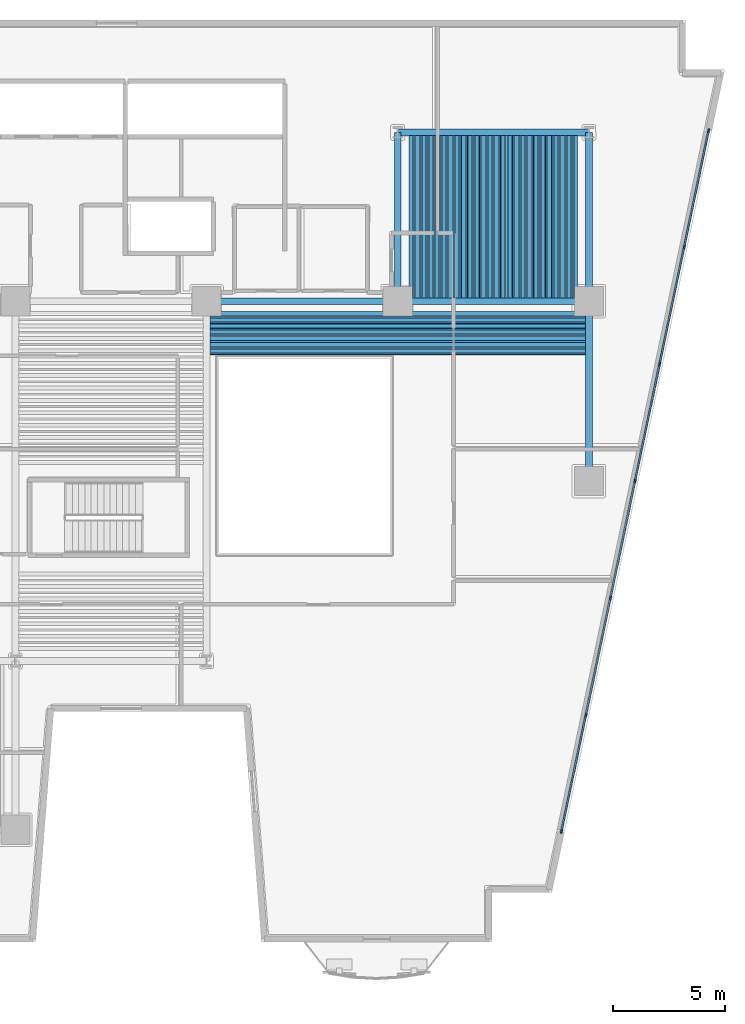
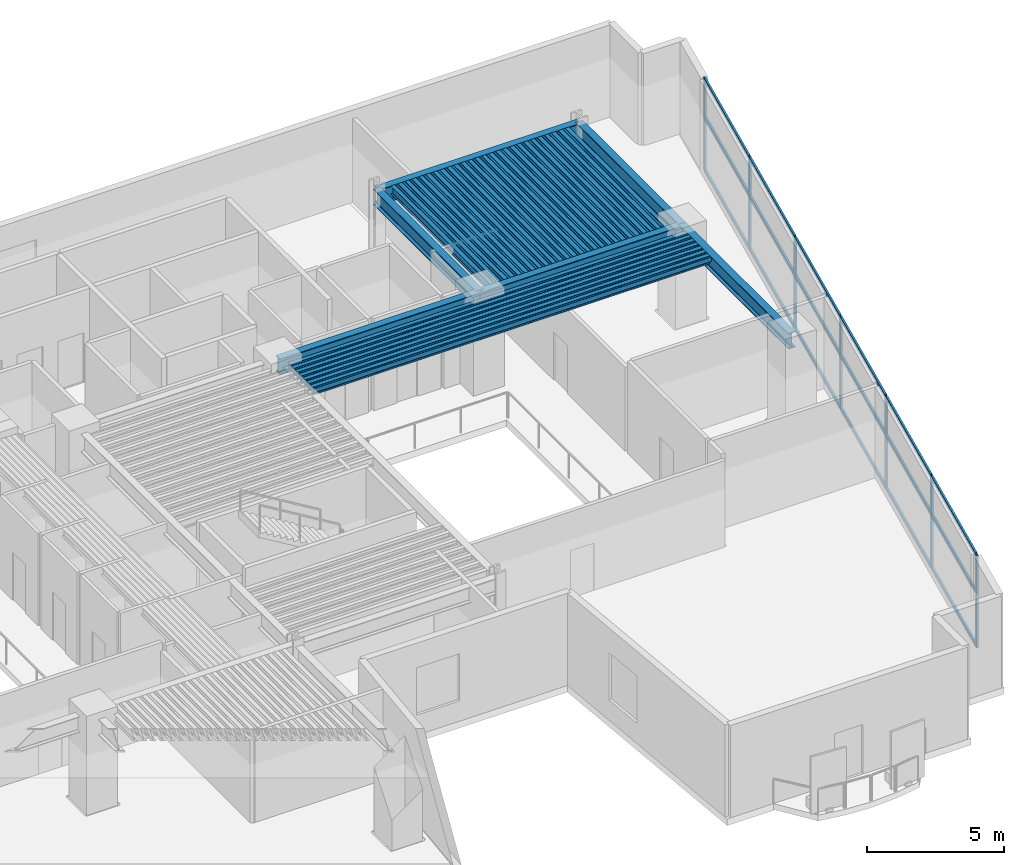
# One storey, part 2 of 12: 71 beams, 25 members, 1 element without a shape of its own.
"""IFC4 building model written with IfcOpenShell, lengths in metres."""

import ifcopenshell
import ifcopenshell.guid

model = None  # the IFC model being written
_history = None  # IfcOwnerHistory: only IFC2X3 demands one
_inside = {}  # id of a spatial element -> (the spatial element, [elements in it])
_under = {}  # id of a project, library or spatial element -> (it, [spatial elements below it])
_declared = {}  # id of a project -> (the project, [libraries it declares])
_typed = {}  # id of a type object -> (the type object, [elements of that type])
_made_of = {}  # id of a material, layer set ... -> (it, [elements and type objects made of it])


def new_model(schema):
    """Start an empty IFC model of exactly this schema.

    Asked for "IFC4X3", IfcOpenShell would pick the latest addendum, in which some entities
    have other attributes; the version numbers below select the first issue.
    IFC2X3 requires an IfcOwnerHistory on every rooted entity: one is made here for all.
    """
    global model, _history
    if schema == "IFC4X3":
        model = ifcopenshell.file(schema_version=(4, 3, 0, 0))
    else:
        model = ifcopenshell.file(schema=schema)
    _inside.clear()
    _under.clear()
    _declared.clear()
    _typed.clear()
    _made_of.clear()
    _history = None
    if model.schema == "IFC2X3":
        org = make("IfcOrganization", Name="unknown")
        user = make(
            "IfcPersonAndOrganization",
            ThePerson=make("IfcPerson", FamilyName="unknown"),
            TheOrganization=org,
        )
        app = make(
            "IfcApplication",
            ApplicationDeveloper=org,
            Version="unknown",
            ApplicationFullName="unknown",
            ApplicationIdentifier="unknown",
        )
        _history = make(
            "IfcOwnerHistory",
            OwningUser=user,
            OwningApplication=app,
            ChangeAction="ADDED",
            CreationDate=0,
        )
    return model


def make(cls, **values):
    """One entity of the class cls with the attributes given. An attribute that is None is left unset."""
    return model.create_entity(
        cls, **{name: value for name, value in values.items() if value is not None}
    )


def rooted(cls, **values):
    """An entity with a GlobalId (a new one), such as an element, a storey or a relation."""
    return make(cls, GlobalId=ifcopenshell.guid.new(), OwnerHistory=_history, **values)


def si_unit(unit_type, name, prefix=None):
    """IfcSIUnit, for example si_unit("LENGTHUNIT", "METRE", prefix="MILLI")."""
    return make("IfcSIUnit", UnitType=unit_type, Prefix=prefix, Name=name)


def assignment(units):
    """IfcUnitAssignment: the units of a project."""
    return None if units is None else make("IfcUnitAssignment", Units=units)


def point(xyz):
    """IfcCartesianPoint."""
    return None if xyz is None else make("IfcCartesianPoint", Coordinates=xyz)


def direction(xyz):
    """IfcDirection."""
    return None if xyz is None else make("IfcDirection", DirectionRatios=xyz)


def frame(location, z_axis=None, x_axis=None):
    """IfcAxis2Placement3D, a coordinate frame: its origin and axes. An axis left out is left unset."""
    return make(
        "IfcAxis2Placement3D",
        Location=point(location),
        Axis=direction(z_axis),
        RefDirection=direction(x_axis),
    )


def frame_2d(location, x_axis=None):
    """IfcAxis2Placement2D, a coordinate frame in the plane: its origin and x axis."""
    return make(
        "IfcAxis2Placement2D", Location=point(location), RefDirection=direction(x_axis)
    )


def origin():
    """The frame at (0, 0, 0) with its axes left unset."""
    return frame((0.0, 0.0, 0.0))


def origin_2d():
    """The frame at (0, 0) in the plane with its x axis left unset."""
    return frame_2d((0.0, 0.0))


def place(relative_to, where):
    """IfcLocalPlacement: puts the frame where relative to a parent placement (None: the world)."""
    return make(
        "IfcLocalPlacement", PlacementRelTo=relative_to, RelativePlacement=where
    )


def context(
    kind, dimensions, precision=None, world=None, true_north=None, identifier=None
):
    """IfcGeometricRepresentationContext, for example the 3D "Model" context."""
    return make(
        "IfcGeometricRepresentationContext",
        ContextIdentifier=identifier,
        ContextType=kind,
        CoordinateSpaceDimension=dimensions,
        Precision=precision,
        WorldCoordinateSystem=world,
        TrueNorth=true_north,
    )


def subcontext(parent, identifier, kind, view, scale=None):
    """IfcGeometricRepresentationSubContext, for example "Body" below "Model"."""
    return make(
        "IfcGeometricRepresentationSubContext",
        ContextIdentifier=identifier,
        ContextType=kind,
        ParentContext=parent,
        TargetScale=scale,
        TargetView=view,
    )


def project(units=None, contexts=None):
    """IfcProject with its units and contexts."""
    return rooted(
        "IfcProject",
        Name="project",
        RepresentationContexts=contexts,
        UnitsInContext=assignment(units),
    )


def spatial(cls, under=None, at=None, **own):
    """A site, building, storey or space (cls), placed at a placement, below another one or the project."""
    s = rooted(cls, ObjectPlacement=at, **own)
    if under is not None:
        _under.setdefault(under.id(), (under, []))[1].append(s)
    return s


def profile(cls, at=None, kind="AREA", **sizes):
    """A parametric profile (cls). Its sizes go by their IFC names, for example OverallWidth=200.0."""
    return make(cls, ProfileType=kind, Position=at, **sizes)


def rectangle(**sizes):
    """IfcRectangleProfileDef."""
    return profile("IfcRectangleProfileDef", **sizes)


def hollow_rectangle(**sizes):
    """IfcRectangleHollowProfileDef."""
    return profile("IfcRectangleHollowProfileDef", **sizes)


def i_section(**sizes):
    """IfcIShapeProfileDef."""
    return profile("IfcIShapeProfileDef", **sizes)


def extrude(swept, where, along, depth):
    """IfcExtrudedAreaSolid: the profile swept, set in the frame where, extruded along a direction by depth."""
    return make(
        "IfcExtrudedAreaSolid",
        SweptArea=swept,
        Position=where,
        ExtrudedDirection=direction(along),
        Depth=depth,
    )


def shape(context_of_items, identifier, shape_type, items):
    """IfcShapeRepresentation: the items that make up one representation, for example the "Body"."""
    return make(
        "IfcShapeRepresentation",
        ContextOfItems=context_of_items,
        RepresentationIdentifier=identifier,
        RepresentationType=shape_type,
        Items=items,
    )


def material(Name=None, Category=None):
    """IfcMaterial."""
    return make("IfcMaterial", Name=Name, Category=Category)


def layer(
    of_material, thickness, ventilated=None, Name=None, Category=None, Priority=None
):
    """IfcMaterialLayer: one layer of a wall or slab, of a material (None: an air gap)."""
    return make(
        "IfcMaterialLayer",
        Material=of_material,
        LayerThickness=thickness,
        IsVentilated=ventilated,
        Name=Name,
        Category=Category,
        Priority=Priority,
    )


def layer_set(layers, Name=None):
    """IfcMaterialLayerSet."""
    return make("IfcMaterialLayerSet", MaterialLayers=layers, LayerSetName=Name)


def material_profile(
    of_material, cross_section, Name=None, Category=None, Priority=None
):
    """IfcMaterialProfile: a cross section and its material."""
    return make(
        "IfcMaterialProfile",
        Name=Name,
        Material=of_material,
        Profile=cross_section,
        Priority=Priority,
        Category=Category,
    )


def profile_set(profiles, Name=None, composite=None):
    """IfcMaterialProfileSet."""
    return make(
        "IfcMaterialProfileSet",
        Name=Name,
        MaterialProfiles=profiles,
        CompositeProfile=composite,
    )


def made_of(thing, what):
    """Note that an element or type object is made of a material, layer set ...; save() writes the relation."""
    if what is not None:
        _made_of.setdefault(what.id(), (what, []))[1].append(thing)
    return thing


def type_object(cls, material=None, **own):
    """A type object (cls), such as IfcWallType, which elements share."""
    return made_of(rooted(cls, **own), material)


def element(
    cls,
    number,
    at=None,
    inside=None,
    cuts=None,
    type_object=None,
    material=None,
    context=None,
    identifier="Body",
    shape_type=None,
    held_by="IfcProductDefinitionShape",
    body=None,
    shapes=None,
    **own,
):
    """One element of the class cls, such as IfcWall. Its Tag is "e" and its number.

    at: its placement. inside: the storey or other place that contains it. cuts: it is an
    opening in that element (IfcRelVoidsElement). A single representation is given by context,
    identifier, shape_type and body (its items); several are given by shapes. held_by: the class
    of the entity that holds the representations. save() writes the other relations.
    """
    e = rooted(cls, Tag="e%d" % number, ObjectPlacement=at, **own)
    if body is not None:
        shapes = [shape(context, identifier, shape_type, body)]
    if shapes is not None:
        e.Representation = make(held_by, Representations=shapes)
    if inside is not None:
        _inside.setdefault(inside.id(), (inside, []))[1].append(e)
    if cuts is not None:
        rooted(
            "IfcRelVoidsElement", RelatingBuildingElement=cuts, RelatedOpeningElement=e
        )
    if type_object is not None:
        _typed.setdefault(type_object.id(), (type_object, []))[1].append(e)
    return made_of(e, material)


def aggregate(whole, parts):
    """IfcRelAggregates: a whole, such as a stair, and the parts it consists of."""
    return rooted("IfcRelAggregates", RelatingObject=whole, RelatedObjects=parts)


def save(model, path):
    """Write the relations noted so far, then the file.

    IfcRelAggregates (storeys below a building ...), IfcRelContainedInSpatialStructure (elements
    in a storey), IfcRelDefinesByType, IfcRelAssociatesMaterial and IfcRelDeclares: one each for
    every whole, place, type object, material and project.
    """
    for whole, parts in _under.values():
        aggregate(whole, parts)
    for where, things in _inside.values():
        rooted(
            "IfcRelContainedInSpatialStructure",
            RelatedElements=things,
            RelatingStructure=where,
        )
    for kind, things in _typed.values():
        rooted("IfcRelDefinesByType", RelatedObjects=things, RelatingType=kind)
    for what, things in _made_of.values():
        rooted("IfcRelAssociatesMaterial", RelatedObjects=things, RelatingMaterial=what)
    for by, libraries in _declared.values():
        rooted("IfcRelDeclares", RelatingContext=by, RelatedDefinitions=libraries)
    model.write(path)


model = new_model("IFC4")

# Units and contexts
model_context = context("Model", 3, precision=1e-05, world=origin(), true_north=direction((0.0, 1.0)))
body_context = subcontext(model_context, "Body", "Model", "MODEL_VIEW")
ifc_project = project(units=[si_unit("LENGTHUNIT", "METRE"), si_unit("AREAUNIT", "SQUARE_METRE"), si_unit("VOLUMEUNIT", "CUBIC_METRE"), si_unit("PLANEANGLEUNIT", "RADIAN"), si_unit("MASSUNIT", "GRAM", prefix="KILO")], contexts=[model_context])

# Site, building, storey
site_placement = place(None, origin())
site = spatial("IfcSite", under=ifc_project, at=site_placement, CompositionType="ELEMENT")
building_placement = place(site_placement, origin())
building = spatial("IfcBuilding", under=site, at=building_placement, Name="Caeloran Harvest Quay", CompositionType="ELEMENT")
storey_placement = place(building_placement, frame((0.0, 0.0, 71.0)))
storey = spatial("IfcBuildingStorey", under=building, at=storey_placement, Name="L16", CompositionType="ELEMENT", Elevation=71.0)

# Beams
ifc_material_1 = material(Name="Steel S355J2", Category="steel")
ifc_material_profile_1 = material_profile(ifc_material_1, i_section(OverallWidth=0.300048828125, OverallDepth=0.699951171875, WebThickness=0.01708984375, FlangeThickness=0.031982421875, FilletRadius=0.027099609375, at=origin_2d()), Name="HE 700 B")
ifc_profile_set_1 = profile_set([ifc_material_profile_1], Name="Steel S355J2")
beam_type_1 = type_object("IfcBeamType", Name="BM-PG-2-HE_700_B", PredefinedType="BEAM", material=ifc_profile_set_1)
for number, where, z_axis, x_axis, name in (
    (1, (34.0, 31.0, 3.75), (1.0, 0.0, 0.0), (0.0, 1.0, 0.0), "L16 Primary East-West Girder Y=31.0"),
    (2, (42.5, 31.0, 3.75), (1.0, 0.0, 0.0), (0.0, 1.0, 0.0), "L16 Primary East-West Girder Y=31.0"),
    (3, (42.5, 38.5, 3.75), (1.0, 0.0, 0.0), (0.0, 1.0, 0.0), "L16 Primary East-West Girder Y=38.5"),
):
    element("IfcBeam", number, at=place(storey_placement, frame(where, z_axis=z_axis, x_axis=x_axis)), inside=storey, type_object=beam_type_1, Name=name, PredefinedType="BEAM", context=body_context, shape_type="SweptSolid", body=[
        extrude(i_section(OverallWidth=0.300048828125, OverallDepth=0.699951171875, WebThickness=0.01708984375, FlangeThickness=0.031982421875, FilletRadius=0.027099609375, at=origin_2d()), origin(), (0.0, 0.0, 1.0), 8.5),
    ])
beam_1_placement = place(storey_placement, frame((42.5, 31.0, 3.75), z_axis=(0.0, 1.0, 0.0), x_axis=(-1.0, 0.0, 0.0)))
element("IfcBeam", 4, at=beam_1_placement, inside=storey, type_object=beam_type_1, Name="L16 Primary North-South Girder X=42.5", PredefinedType="BEAM", context=body_context, shape_type="SweptSolid", body=[
    extrude(i_section(OverallWidth=0.300048828125, OverallDepth=0.699951171875, WebThickness=0.01708984375, FlangeThickness=0.031982421875, FilletRadius=0.027099609375, at=origin_2d()), origin(), (0.0, 0.0, 1.0), 7.5),
])
beam_2_placement = place(storey_placement, frame((51.0, 23.0, 3.75), z_axis=(0.0, 1.0, 0.0), x_axis=(-1.0, 0.0, 0.0)))
element("IfcBeam", 5, at=beam_2_placement, inside=storey, type_object=beam_type_1, Name="L16 Primary North-South Girder X=51.0", PredefinedType="BEAM", context=body_context, shape_type="SweptSolid", body=[
    extrude(i_section(OverallWidth=0.300048828125, OverallDepth=0.699951171875, WebThickness=0.01708984375, FlangeThickness=0.031982421875, FilletRadius=0.027099609375, at=origin_2d()), origin(), (0.0, 0.0, 1.0), 8.0),
])
beam_3_placement = place(storey_placement, frame((51.0, 31.0, 3.75), z_axis=(0.0, 1.0, 0.0), x_axis=(-1.0, 0.0, 0.0)))
element("IfcBeam", 6, at=beam_3_placement, inside=storey, type_object=beam_type_1, Name="L16 Primary North-South Girder X=51.0", PredefinedType="BEAM", context=body_context, shape_type="SweptSolid", body=[
    extrude(i_section(OverallWidth=0.300048828125, OverallDepth=0.699951171875, WebThickness=0.01708984375, FlangeThickness=0.031982421875, FilletRadius=0.027099609375, at=origin_2d()), origin(), (0.0, 0.0, 1.0), 7.5),
])
ifc_material_profile_2 = material_profile(ifc_material_1, i_section(OverallWidth=0.169921875, OverallDepth=0.360107421875, WebThickness=0.008056640625, FlangeThickness=0.0126953125, FilletRadius=0.01806640625, at=origin_2d()), Name="IPE 360")
ifc_profile_set_2 = profile_set([ifc_material_profile_2], Name="Steel S355J2")
beam_type_2 = type_object("IfcBeamType", Name="BM-SB-5-IPE_360", PredefinedType="JOIST", material=ifc_profile_set_2)
for number, where, z_axis, x_axis, name in (
    (7, (43.086181640625, 31.14501953125, 3.919921875), (0.0, 1.0, 0.0), (-1.0, 0.0, 0.0), "L16 Secondary Composite Joist"),
    (8, (43.37939453125, 31.14501953125, 3.919921875), (0.0, 1.0, 0.0), (-1.0, 0.0, 0.0), "L16 Secondary Composite Joist"),
    (9, (43.67236328125, 31.14501953125, 3.919921875), (0.0, 1.0, 0.0), (-1.0, 0.0, 0.0), "L16 Secondary Composite Joist"),
    (10, (43.965576171875, 31.14501953125, 3.919921875), (0.0, 1.0, 0.0), (-1.0, 0.0, 0.0), "L16 Secondary Composite Joist"),
    (11, (44.258544921875, 31.14501953125, 3.919921875), (0.0, 1.0, 0.0), (-1.0, 0.0, 0.0), "L16 Secondary Composite Joist"),
    (12, (44.5517578125, 31.14501953125, 3.919921875), (0.0, 1.0, 0.0), (-1.0, 0.0, 0.0), "L16 Secondary Composite Joist"),
    (13, (44.8447265625, 31.14501953125, 3.919921875), (0.0, 1.0, 0.0), (-1.0, 0.0, 0.0), "L16 Secondary Composite Joist"),
    (14, (45.137939453125, 31.14501953125, 3.919921875), (0.0, 1.0, 0.0), (-1.0, 0.0, 0.0), "L16 Secondary Composite Joist"),
    (15, (45.430908203125, 31.14501953125, 3.919921875), (0.0, 1.0, 0.0), (-1.0, 0.0, 0.0), "L16 Secondary Composite Joist"),
    (16, (45.72412109375, 31.14501953125, 3.919921875), (0.0, 1.0, 0.0), (-1.0, 0.0, 0.0), "L16 Secondary Composite Joist"),
    (17, (46.01708984375, 31.14501953125, 3.919921875), (0.0, 1.0, 0.0), (-1.0, 0.0, 0.0), "L16 Secondary Composite Joist"),
    (18, (46.310302734375, 31.14501953125, 3.919921875), (0.0, 1.0, 0.0), (-1.0, 0.0, 0.0), "L16 Secondary Composite Joist"),
    (19, (46.603515625, 31.14501953125, 3.919921875), (0.0, 1.0, 0.0), (-1.0, 0.0, 0.0), "L16 Secondary Composite Joist"),
    (20, (46.896484375, 31.14501953125, 3.919921875), (0.0, 1.0, 0.0), (-1.0, 0.0, 0.0), "L16 Secondary Composite Joist"),
    (21, (47.189697265625, 31.14501953125, 3.919921875), (0.0, 1.0, 0.0), (-1.0, 0.0, 0.0), "L16 Secondary Composite Joist"),
    (22, (47.48291015625, 31.14501953125, 3.919921875), (0.0, 1.0, 0.0), (-1.0, 0.0, 0.0), "L16 Secondary Composite Joist"),
    (23, (47.77587890625, 31.14501953125, 3.919921875), (0.0, 1.0, 0.0), (-1.0, 0.0, 0.0), "L16 Secondary Composite Joist"),
    (24, (48.069091796875, 31.14501953125, 3.919921875), (0.0, 1.0, 0.0), (-1.0, 0.0, 0.0), "L16 Secondary Composite Joist"),
    (25, (48.362060546875, 31.14501953125, 3.919921875), (0.0, 1.0, 0.0), (-1.0, 0.0, 0.0), "L16 Secondary Composite Joist"),
    (26, (48.6552734375, 31.14501953125, 3.919921875), (0.0, 1.0, 0.0), (-1.0, 0.0, 0.0), "L16 Secondary Composite Joist"),
    (27, (48.9482421875, 31.14501953125, 3.919921875), (0.0, 1.0, 0.0), (-1.0, 0.0, 0.0), "L16 Secondary Composite Joist"),
    (28, (49.241455078125, 31.14501953125, 3.919921875), (0.0, 1.0, 0.0), (-1.0, 0.0, 0.0), "L16 Secondary Composite Joist"),
    (29, (49.534423828125, 31.14501953125, 3.919921875), (0.0, 1.0, 0.0), (-1.0, 0.0, 0.0), "L16 Secondary Composite Joist"),
    (30, (49.82763671875, 31.14501953125, 3.919921875), (0.0, 1.0, 0.0), (-1.0, 0.0, 0.0), "L16 Secondary Composite Joist"),
    (31, (50.12060546875, 31.14501953125, 3.919921875), (0.0, 1.0, 0.0), (-1.0, 0.0, 0.0), "L16 Secondary Composite Joist"),
    (32, (50.413818359375, 31.14501953125, 3.919921875), (0.0, 1.0, 0.0), (-1.0, 0.0, 0.0), "L16 Secondary Composite Joist"),
):
    element("IfcBeam", number, at=place(storey_placement, frame(where, z_axis=z_axis, x_axis=x_axis)), inside=storey, type_object=beam_type_2, Name=name, PredefinedType="JOIST", context=body_context, shape_type="SweptSolid", body=[
        extrude(i_section(OverallWidth=0.169921875, OverallDepth=0.360107421875, WebThickness=0.008056640625, FlangeThickness=0.0126953125, FilletRadius=0.01806640625, at=origin_2d()), origin(), (0.0, 0.0, 1.0), 7.2099609375),
    ])
for number, where, z_axis, x_axis, name in (
    (33, (34.14501953125, 28.793212890625, 3.919921875), (1.0, 0.0, 0.0), (0.0, 1.0, 0.0), "L16 Secondary East-West Composite Joist"),
    (34, (34.14501953125, 29.069091796875, 3.919921875), (1.0, 0.0, 0.0), (0.0, 1.0, 0.0), "L16 Secondary East-West Composite Joist"),
    (35, (34.14501953125, 29.3447265625, 3.919921875), (1.0, 0.0, 0.0), (0.0, 1.0, 0.0), "L16 Secondary East-West Composite Joist"),
    (36, (34.14501953125, 29.62060546875, 3.919921875), (1.0, 0.0, 0.0), (0.0, 1.0, 0.0), "L16 Secondary East-West Composite Joist"),
    (37, (34.14501953125, 29.896484375, 3.919921875), (1.0, 0.0, 0.0), (0.0, 1.0, 0.0), "L16 Secondary East-West Composite Joist"),
    (38, (34.14501953125, 30.17236328125, 3.919921875), (1.0, 0.0, 0.0), (0.0, 1.0, 0.0), "L16 Secondary East-West Composite Joist"),
    (39, (34.14501953125, 30.4482421875, 3.919921875), (1.0, 0.0, 0.0), (0.0, 1.0, 0.0), "L16 Secondary East-West Composite Joist"),
):
    element("IfcBeam", number, at=place(storey_placement, frame(where, z_axis=z_axis, x_axis=x_axis)), inside=storey, type_object=beam_type_2, Name=name, PredefinedType="JOIST", context=body_context, shape_type="SweptSolid", body=[
        extrude(i_section(OverallWidth=0.169921875, OverallDepth=0.360107421875, WebThickness=0.008056640625, FlangeThickness=0.0126953125, FilletRadius=0.01806640625, at=origin_2d()), origin(), (0.0, 0.0, 1.0), 16.7099609375),
    ])
ifc_material_profile_3 = material_profile(ifc_material_1, hollow_rectangle(XDim=0.080078125, YDim=0.199951171875, WallThickness=0.006103515625, InnerFilletRadius=0.006103515625, OuterFilletRadius=0.009033203125, at=origin_2d()), Name="RHS 200x80x6")
ifc_profile_set_3 = profile_set([ifc_material_profile_3], Name="Steel S355J2")
beam_type_3 = type_object("IfcBeamType", Name="BM-SB-7-RHS_200x80x6", PredefinedType="JOIST", material=ifc_profile_set_3)
for number, where, z_axis, x_axis, name in (
    (40, (43.23291015625, 31.14501953125, 4.0), (0.0, 1.0, 0.0), (-1.0, 0.0, 0.0), "L16 Secondary Composite Joist"),
    (41, (43.52587890625, 31.14501953125, 4.0), (0.0, 1.0, 0.0), (-1.0, 0.0, 0.0), "L16 Secondary Composite Joist"),
    (42, (43.819091796875, 31.14501953125, 4.0), (0.0, 1.0, 0.0), (-1.0, 0.0, 0.0), "L16 Secondary Composite Joist"),
    (43, (44.112060546875, 31.14501953125, 4.0), (0.0, 1.0, 0.0), (-1.0, 0.0, 0.0), "L16 Secondary Composite Joist"),
    (44, (44.4052734375, 31.14501953125, 4.0), (0.0, 1.0, 0.0), (-1.0, 0.0, 0.0), "L16 Secondary Composite Joist"),
    (45, (44.6982421875, 31.14501953125, 4.0), (0.0, 1.0, 0.0), (-1.0, 0.0, 0.0), "L16 Secondary Composite Joist"),
    (46, (44.991455078125, 31.14501953125, 4.0), (0.0, 1.0, 0.0), (-1.0, 0.0, 0.0), "L16 Secondary Composite Joist"),
    (47, (45.284423828125, 31.14501953125, 4.0), (0.0, 1.0, 0.0), (-1.0, 0.0, 0.0), "L16 Secondary Composite Joist"),
    (48, (45.57763671875, 31.14501953125, 4.0), (0.0, 1.0, 0.0), (-1.0, 0.0, 0.0), "L16 Secondary Composite Joist"),
    (49, (45.87060546875, 31.14501953125, 4.0), (0.0, 1.0, 0.0), (-1.0, 0.0, 0.0), "L16 Secondary Composite Joist"),
    (50, (46.163818359375, 31.14501953125, 4.0), (0.0, 1.0, 0.0), (-1.0, 0.0, 0.0), "L16 Secondary Composite Joist"),
    (51, (46.456787109375, 31.14501953125, 4.0), (0.0, 1.0, 0.0), (-1.0, 0.0, 0.0), "L16 Secondary Composite Joist"),
    (52, (46.75, 31.14501953125, 4.0), (0.0, 1.0, 0.0), (-1.0, 0.0, 0.0), "L16 Secondary Composite Joist"),
    (53, (47.043212890625, 31.14501953125, 4.0), (0.0, 1.0, 0.0), (-1.0, 0.0, 0.0), "L16 Secondary Composite Joist"),
    (54, (47.336181640625, 31.14501953125, 4.0), (0.0, 1.0, 0.0), (-1.0, 0.0, 0.0), "L16 Secondary Composite Joist"),
    (55, (47.62939453125, 31.14501953125, 4.0), (0.0, 1.0, 0.0), (-1.0, 0.0, 0.0), "L16 Secondary Composite Joist"),
    (56, (47.92236328125, 31.14501953125, 4.0), (0.0, 1.0, 0.0), (-1.0, 0.0, 0.0), "L16 Secondary Composite Joist"),
    (57, (48.215576171875, 31.14501953125, 4.0), (0.0, 1.0, 0.0), (-1.0, 0.0, 0.0), "L16 Secondary Composite Joist"),
    (58, (48.508544921875, 31.14501953125, 4.0), (0.0, 1.0, 0.0), (-1.0, 0.0, 0.0), "L16 Secondary Composite Joist"),
    (59, (48.8017578125, 31.14501953125, 4.0), (0.0, 1.0, 0.0), (-1.0, 0.0, 0.0), "L16 Secondary Composite Joist"),
    (60, (49.0947265625, 31.14501953125, 4.0), (0.0, 1.0, 0.0), (-1.0, 0.0, 0.0), "L16 Secondary Composite Joist"),
    (61, (49.387939453125, 31.14501953125, 4.0), (0.0, 1.0, 0.0), (-1.0, 0.0, 0.0), "L16 Secondary Composite Joist"),
    (62, (49.680908203125, 31.14501953125, 4.0), (0.0, 1.0, 0.0), (-1.0, 0.0, 0.0), "L16 Secondary Composite Joist"),
    (63, (49.97412109375, 31.14501953125, 4.0), (0.0, 1.0, 0.0), (-1.0, 0.0, 0.0), "L16 Secondary Composite Joist"),
    (64, (50.26708984375, 31.14501953125, 4.0), (0.0, 1.0, 0.0), (-1.0, 0.0, 0.0), "L16 Secondary Composite Joist"),
):
    element("IfcBeam", number, at=place(storey_placement, frame(where, z_axis=z_axis, x_axis=x_axis)), inside=storey, type_object=beam_type_3, Name=name, PredefinedType="JOIST", context=body_context, shape_type="SweptSolid", body=[
        extrude(hollow_rectangle(XDim=0.080078125, YDim=0.199951171875, WallThickness=0.006103515625, InnerFilletRadius=0.006103515625, OuterFilletRadius=0.009033203125, at=origin_2d()), origin(), (0.0, 0.0, 1.0), 7.2099609375),
    ])
for number, where, z_axis, x_axis, name in (
    (65, (34.14501953125, 28.6552734375, 4.0), (1.0, 0.0, 0.0), (0.0, 1.0, 0.0), "L16 Secondary East-West Composite Joist"),
    (66, (34.14501953125, 28.930908203125, 4.0), (1.0, 0.0, 0.0), (0.0, 1.0, 0.0), "L16 Secondary East-West Composite Joist"),
    (67, (34.14501953125, 29.206787109375, 4.0), (1.0, 0.0, 0.0), (0.0, 1.0, 0.0), "L16 Secondary East-West Composite Joist"),
    (68, (34.14501953125, 29.48291015625, 4.0), (1.0, 0.0, 0.0), (0.0, 1.0, 0.0), "L16 Secondary East-West Composite Joist"),
    (69, (34.14501953125, 29.758544921875, 4.0), (1.0, 0.0, 0.0), (0.0, 1.0, 0.0), "L16 Secondary East-West Composite Joist"),
    (70, (34.14501953125, 30.034423828125, 4.0), (1.0, 0.0, 0.0), (0.0, 1.0, 0.0), "L16 Secondary East-West Composite Joist"),
    (71, (34.14501953125, 30.310302734375, 4.0), (1.0, 0.0, 0.0), (0.0, 1.0, 0.0), "L16 Secondary East-West Composite Joist"),
):
    element("IfcBeam", number, at=place(storey_placement, frame(where, z_axis=z_axis, x_axis=x_axis)), inside=storey, type_object=beam_type_3, Name=name, PredefinedType="JOIST", context=body_context, shape_type="SweptSolid", body=[
        extrude(hollow_rectangle(XDim=0.080078125, YDim=0.199951171875, WallThickness=0.006103515625, InnerFilletRadius=0.006103515625, OuterFilletRadius=0.009033203125, at=origin_2d()), origin(), (0.0, 0.0, 1.0), 16.7099609375),
    ])

# Curtain wall, members
ifc_material_2 = material(Name="Aluminium 6063-T6 and Low-E Glazing", Category="aluminium")
ifc_layer = layer(ifc_material_2, 0.199951171875, Name="Aluminium 6063-T6 and Low-E Glazing")
ifc_layer_set = layer_set([ifc_layer], Name="Aluminium 6063-T6 and Low-E Glazing")
curtain_wall_type = type_object("IfcCurtainWallType", Name="CW-SYS-CW-2", PredefinedType="USERDEFINED", material=ifc_layer_set)
curtain_wall_placement = place(storey_placement, origin())
curtain_wall = element("IfcCurtainWall", 72, at=curtain_wall_placement, inside=storey, type_object=curtain_wall_type, Name="L16 Unitised Curtain Wall CW-2 Run 9", ObjectType="CURTAIN_WALL", PredefinedType="USERDEFINED")
ifc_material_3 = material(Name="Aluminium 6063-T6", Category="aluminium")
ifc_material_profile_4 = material_profile(ifc_material_3, rectangle(XDim=0.080078125, YDim=0.179931640625, at=origin_2d()), Name="CW-MULLION-180")
ifc_profile_set_4 = profile_set([ifc_material_profile_4], Name="Aluminium 6063-T6")
member_type_1 = type_object("IfcMemberType", Name="CW-MULLION-180", PredefinedType="MULLION", material=ifc_profile_set_4)
member_1_placement = place(storey_placement, frame((56.322509765625, 38.576416015625, 0.0), z_axis=(0.0, 0.0, 1.0), x_axis=(0.978639691881, -0.205582960081, 0.0)))
member_1 = element("IfcMember", 73, at=member_1_placement, type_object=member_type_1, Name="CW-2 mullion 1", PredefinedType="MULLION", context=body_context, shape_type="SweptSolid", body=[
    extrude(rectangle(XDim=0.080078125, YDim=0.179931640625, at=origin_2d()), origin(), (0.0, 0.0, 1.0), 4.10009765625),
])
member_2_placement = place(storey_placement, frame((55.2373046875, 33.410400390625, 0.0), z_axis=(0.0, 0.0, 1.0), x_axis=(0.978639691881, -0.205582960081, 0.0)))
member_2 = element("IfcMember", 74, at=member_2_placement, type_object=member_type_1, Name="CW-2 mullion 2", PredefinedType="MULLION", context=body_context, shape_type="SweptSolid", body=[
    extrude(rectangle(XDim=0.080078125, YDim=0.179931640625, at=origin_2d()), origin(), (0.0, 0.0, 1.0), 4.10009765625),
])
member_3_placement = place(storey_placement, frame((54.143798828125, 28.205078125, 0.0), z_axis=(0.0, 0.0, 1.0), x_axis=(0.978639691881, -0.205582960081, 0.0)))
member_3 = element("IfcMember", 75, at=member_3_placement, type_object=member_type_1, Name="CW-2 mullion 3", PredefinedType="MULLION", context=body_context, shape_type="SweptSolid", body=[
    extrude(rectangle(XDim=0.080078125, YDim=0.179931640625, at=origin_2d()), origin(), (0.0, 0.0, 1.0), 4.10009765625),
])
member_4_placement = place(storey_placement, frame((53.050537109375, 23.0, 0.0), z_axis=(0.0, 0.0, 1.0), x_axis=(0.978639691881, -0.205582960081, 0.0)))
member_4 = element("IfcMember", 76, at=member_4_placement, type_object=member_type_1, Name="CW-2 mullion 4", PredefinedType="MULLION", context=body_context, shape_type="SweptSolid", body=[
    extrude(rectangle(XDim=0.080078125, YDim=0.179931640625, at=origin_2d()), origin(), (0.0, 0.0, 1.0), 4.10009765625),
])
member_5_placement = place(storey_placement, frame((51.95703125, 17.794921875, 0.0), z_axis=(0.0, 0.0, 1.0), x_axis=(0.978639691881, -0.205582960081, 0.0)))
member_5 = element("IfcMember", 77, at=member_5_placement, type_object=member_type_1, Name="CW-2 mullion 5", PredefinedType="MULLION", context=body_context, shape_type="SweptSolid", body=[
    extrude(rectangle(XDim=0.080078125, YDim=0.179931640625, at=origin_2d()), origin(), (0.0, 0.0, 1.0), 4.10009765625),
])
member_6_placement = place(storey_placement, frame((50.863525390625, 12.589599609375, 0.0), z_axis=(0.0, 0.0, 1.0), x_axis=(0.978639691881, -0.205582960081, 0.0)))
member_6 = element("IfcMember", 78, at=member_6_placement, type_object=member_type_1, Name="CW-2 mullion 6", PredefinedType="MULLION", context=body_context, shape_type="SweptSolid", body=[
    extrude(rectangle(XDim=0.080078125, YDim=0.179931640625, at=origin_2d()), origin(), (0.0, 0.0, 1.0), 4.10009765625),
])
member_7_placement = place(storey_placement, frame((49.7783203125, 7.423583984375, 0.0), z_axis=(0.0, 0.0, 1.0), x_axis=(0.978639691881, -0.205582960081, 0.0)))
member_7 = element("IfcMember", 79, at=member_7_placement, type_object=member_type_1, Name="CW-2 mullion 7", PredefinedType="MULLION", context=body_context, shape_type="SweptSolid", body=[
    extrude(rectangle(XDim=0.080078125, YDim=0.179931640625, at=origin_2d()), origin(), (0.0, 0.0, 1.0), 4.10009765625),
])
ifc_material_profile_5 = material_profile(ifc_material_3, rectangle(XDim=0.080078125, YDim=0.14990234375, at=origin_2d()), Name="CW-TRANSOM-150")
ifc_profile_set_5 = profile_set([ifc_material_profile_5], Name="Aluminium 6063-T6")
member_type_2 = type_object("IfcMemberType", Name="CW-TRANSOM-150", PredefinedType="USERDEFINED", material=ifc_profile_set_5)
member_8_placement = place(storey_placement, frame((56.314453125, 38.537109375, 0.0400390625), z_axis=(-0.205598644178, -0.978636396989, 0.0), x_axis=(0.978636396989, -0.205598644178, 0.0)))
member_8 = element("IfcMember", 80, at=member_8_placement, type_object=member_type_2, Name="CW-2 transom 1.1", ObjectType="TRANSOM", PredefinedType="USERDEFINED", context=body_context, shape_type="SweptSolid", body=[
    extrude(rectangle(XDim=0.080078125, YDim=0.14990234375, at=origin_2d()), origin(), (0.0, 0.0, 1.0), 5.19873046875),
])
member_9_placement = place(storey_placement, frame((56.314453125, 38.537109375, 2.39990234375), z_axis=(-0.205598644178, -0.978636396989, 0.0), x_axis=(0.978636396989, -0.205598644178, 0.0)))
member_9 = element("IfcMember", 81, at=member_9_placement, type_object=member_type_2, Name="CW-2 transom 1.2", ObjectType="TRANSOM", PredefinedType="USERDEFINED", context=body_context, shape_type="SweptSolid", body=[
    extrude(rectangle(XDim=0.080078125, YDim=0.14990234375, at=origin_2d()), origin(), (0.0, 0.0, 1.0), 5.19873046875),
])
member_10_placement = place(storey_placement, frame((56.314453125, 38.537109375, 4.06005859375), z_axis=(-0.205598644178, -0.978636396989, 0.0), x_axis=(0.978636396989, -0.205598644178, 0.0)))
member_10 = element("IfcMember", 82, at=member_10_placement, type_object=member_type_2, Name="CW-2 transom 1.3", ObjectType="TRANSOM", PredefinedType="USERDEFINED", context=body_context, shape_type="SweptSolid", body=[
    extrude(rectangle(XDim=0.080078125, YDim=0.14990234375, at=origin_2d()), origin(), (0.0, 0.0, 1.0), 5.19873046875),
])
member_11_placement = place(storey_placement, frame((55.229248046875, 33.37109375, 0.0400390625), z_axis=(-0.205615877389, -0.97863277636, 0.0), x_axis=(0.97863277636, -0.205615877389, 0.0)))
member_11 = element("IfcMember", 83, at=member_11_placement, type_object=member_type_2, Name="CW-2 transom 2.1", ObjectType="TRANSOM", PredefinedType="USERDEFINED", context=body_context, shape_type="SweptSolid", body=[
    extrude(rectangle(XDim=0.080078125, YDim=0.14990234375, at=origin_2d()), origin(), (0.0, 0.0, 1.0), 5.238525390625),
])
member_12_placement = place(storey_placement, frame((55.229248046875, 33.37109375, 2.39990234375), z_axis=(-0.205615877389, -0.97863277636, 0.0), x_axis=(0.97863277636, -0.205615877389, 0.0)))
member_12 = element("IfcMember", 84, at=member_12_placement, type_object=member_type_2, Name="CW-2 transom 2.2", ObjectType="TRANSOM", PredefinedType="USERDEFINED", context=body_context, shape_type="SweptSolid", body=[
    extrude(rectangle(XDim=0.080078125, YDim=0.14990234375, at=origin_2d()), origin(), (0.0, 0.0, 1.0), 5.238525390625),
])
member_13_placement = place(storey_placement, frame((55.229248046875, 33.37109375, 4.06005859375), z_axis=(-0.205615877389, -0.97863277636, 0.0), x_axis=(0.97863277636, -0.205615877389, 0.0)))
member_13 = element("IfcMember", 85, at=member_13_placement, type_object=member_type_2, Name="CW-2 transom 2.3", ObjectType="TRANSOM", PredefinedType="USERDEFINED", context=body_context, shape_type="SweptSolid", body=[
    extrude(rectangle(XDim=0.080078125, YDim=0.14990234375, at=origin_2d()), origin(), (0.0, 0.0, 1.0), 5.238525390625),
])
member_14_placement = place(storey_placement, frame((54.1357421875, 28.166015625, 0.0400390625), z_axis=(-0.205606500081, -0.978634746534, 0.0), x_axis=(0.978634746534, -0.205606500081, 0.0)))
member_14 = element("IfcMember", 86, at=member_14_placement, type_object=member_type_2, Name="CW-2 transom 3.1", ObjectType="TRANSOM", PredefinedType="USERDEFINED", context=body_context, shape_type="SweptSolid", body=[
    extrude(rectangle(XDim=0.080078125, YDim=0.14990234375, at=origin_2d()), origin(), (0.0, 0.0, 1.0), 5.23876953125),
])
member_15_placement = place(storey_placement, frame((54.1357421875, 28.166015625, 2.39990234375), z_axis=(-0.205606500081, -0.978634746534, 0.0), x_axis=(0.978634746534, -0.205606500081, 0.0)))
member_15 = element("IfcMember", 87, at=member_15_placement, type_object=member_type_2, Name="CW-2 transom 3.2", ObjectType="TRANSOM", PredefinedType="USERDEFINED", context=body_context, shape_type="SweptSolid", body=[
    extrude(rectangle(XDim=0.080078125, YDim=0.14990234375, at=origin_2d()), origin(), (0.0, 0.0, 1.0), 5.23876953125),
])
member_16_placement = place(storey_placement, frame((54.1357421875, 28.166015625, 4.06005859375), z_axis=(-0.205606500081, -0.978634746534, 0.0), x_axis=(0.978634746534, -0.205606500081, 0.0)))
member_16 = element("IfcMember", 88, at=member_16_placement, type_object=member_type_2, Name="CW-2 transom 3.3", ObjectType="TRANSOM", PredefinedType="USERDEFINED", context=body_context, shape_type="SweptSolid", body=[
    extrude(rectangle(XDim=0.080078125, YDim=0.14990234375, at=origin_2d()), origin(), (0.0, 0.0, 1.0), 5.23876953125),
])
member_17_placement = place(storey_placement, frame((53.042236328125, 22.9609375, 0.0400390625), z_axis=(-0.205561867825, -0.978644122496, 0.0), x_axis=(0.978644122496, -0.205561867825, 0.0)))
member_17 = element("IfcMember", 89, at=member_17_placement, type_object=member_type_2, Name="CW-2 transom 4.1", ObjectType="TRANSOM", PredefinedType="USERDEFINED", context=body_context, shape_type="SweptSolid", body=[
    extrude(rectangle(XDim=0.080078125, YDim=0.14990234375, at=origin_2d()), origin(), (0.0, 0.0, 1.0), 5.23876953125),
])
member_18_placement = place(storey_placement, frame((53.042236328125, 22.9609375, 2.39990234375), z_axis=(-0.205561867825, -0.978644122496, 0.0), x_axis=(0.978644122496, -0.205561867825, 0.0)))
member_18 = element("IfcMember", 90, at=member_18_placement, type_object=member_type_2, Name="CW-2 transom 4.2", ObjectType="TRANSOM", PredefinedType="USERDEFINED", context=body_context, shape_type="SweptSolid", body=[
    extrude(rectangle(XDim=0.080078125, YDim=0.14990234375, at=origin_2d()), origin(), (0.0, 0.0, 1.0), 5.23876953125),
])
member_19_placement = place(storey_placement, frame((53.042236328125, 22.9609375, 4.06005859375), z_axis=(-0.205561867825, -0.978644122496, 0.0), x_axis=(0.978644122496, -0.205561867825, 0.0)))
member_19 = element("IfcMember", 91, at=member_19_placement, type_object=member_type_2, Name="CW-2 transom 4.3", ObjectType="TRANSOM", PredefinedType="USERDEFINED", context=body_context, shape_type="SweptSolid", body=[
    extrude(rectangle(XDim=0.080078125, YDim=0.14990234375, at=origin_2d()), origin(), (0.0, 0.0, 1.0), 5.23876953125),
])
member_20_placement = place(storey_placement, frame((51.94873046875, 17.755615234375, 0.0400390625), z_axis=(-0.205571243277, -0.978642153158, 0.0), x_axis=(0.978642153158, -0.205571243277, 0.0)))
member_20 = element("IfcMember", 92, at=member_20_placement, type_object=member_type_2, Name="CW-2 transom 5.1", ObjectType="TRANSOM", PredefinedType="USERDEFINED", context=body_context, shape_type="SweptSolid", body=[
    extrude(rectangle(XDim=0.080078125, YDim=0.14990234375, at=origin_2d()), origin(), (0.0, 0.0, 1.0), 5.238525390625),
])
member_21_placement = place(storey_placement, frame((51.94873046875, 17.755615234375, 2.39990234375), z_axis=(-0.205571243277, -0.978642153158, 0.0), x_axis=(0.978642153158, -0.205571243277, 0.0)))
member_21 = element("IfcMember", 93, at=member_21_placement, type_object=member_type_2, Name="CW-2 transom 5.2", ObjectType="TRANSOM", PredefinedType="USERDEFINED", context=body_context, shape_type="SweptSolid", body=[
    extrude(rectangle(XDim=0.080078125, YDim=0.14990234375, at=origin_2d()), origin(), (0.0, 0.0, 1.0), 5.238525390625),
])
member_22_placement = place(storey_placement, frame((51.94873046875, 17.755615234375, 4.06005859375), z_axis=(-0.205571243277, -0.978642153158, 0.0), x_axis=(0.978642153158, -0.205571243277, 0.0)))
member_22 = element("IfcMember", 94, at=member_22_placement, type_object=member_type_2, Name="CW-2 transom 5.3", ObjectType="TRANSOM", PredefinedType="USERDEFINED", context=body_context, shape_type="SweptSolid", body=[
    extrude(rectangle(XDim=0.080078125, YDim=0.14990234375, at=origin_2d()), origin(), (0.0, 0.0, 1.0), 5.238525390625),
])
member_23_placement = place(storey_placement, frame((50.855224609375, 12.550537109375, 0.0400390625), z_axis=(-0.205553666865, -0.978645845052, 0.0), x_axis=(0.978645845052, -0.205553666865, 0.0)))
member_23 = element("IfcMember", 95, at=member_23_placement, type_object=member_type_2, Name="CW-2 transom 6.1", ObjectType="TRANSOM", PredefinedType="USERDEFINED", context=body_context, shape_type="SweptSolid", body=[
    extrude(rectangle(XDim=0.080078125, YDim=0.14990234375, at=origin_2d()), origin(), (0.0, 0.0, 1.0), 5.19873046875),
])
member_24_placement = place(storey_placement, frame((50.855224609375, 12.550537109375, 2.39990234375), z_axis=(-0.205553666865, -0.978645845052, 0.0), x_axis=(0.978645845052, -0.205553666865, 0.0)))
member_24 = element("IfcMember", 96, at=member_24_placement, type_object=member_type_2, Name="CW-2 transom 6.2", ObjectType="TRANSOM", PredefinedType="USERDEFINED", context=body_context, shape_type="SweptSolid", body=[
    extrude(rectangle(XDim=0.080078125, YDim=0.14990234375, at=origin_2d()), origin(), (0.0, 0.0, 1.0), 5.19873046875),
])
member_25_placement = place(storey_placement, frame((50.855224609375, 12.550537109375, 4.06005859375), z_axis=(-0.205553666865, -0.978645845052, 0.0), x_axis=(0.978645845052, -0.205553666865, 0.0)))
member_25 = element("IfcMember", 97, at=member_25_placement, type_object=member_type_2, Name="CW-2 transom 6.3", ObjectType="TRANSOM", PredefinedType="USERDEFINED", context=body_context, shape_type="SweptSolid", body=[
    extrude(rectangle(XDim=0.080078125, YDim=0.14990234375, at=origin_2d()), origin(), (0.0, 0.0, 1.0), 5.19873046875),
])
aggregate(curtain_wall, [member_1, member_2, member_3, member_4, member_5, member_6, member_7, member_8, member_9, member_10, member_11, member_12, member_13, member_14, member_15, member_16, member_17, member_18, member_19, member_20, member_21, member_22, member_23, member_24, member_25])

save(model, "model.ifc")
